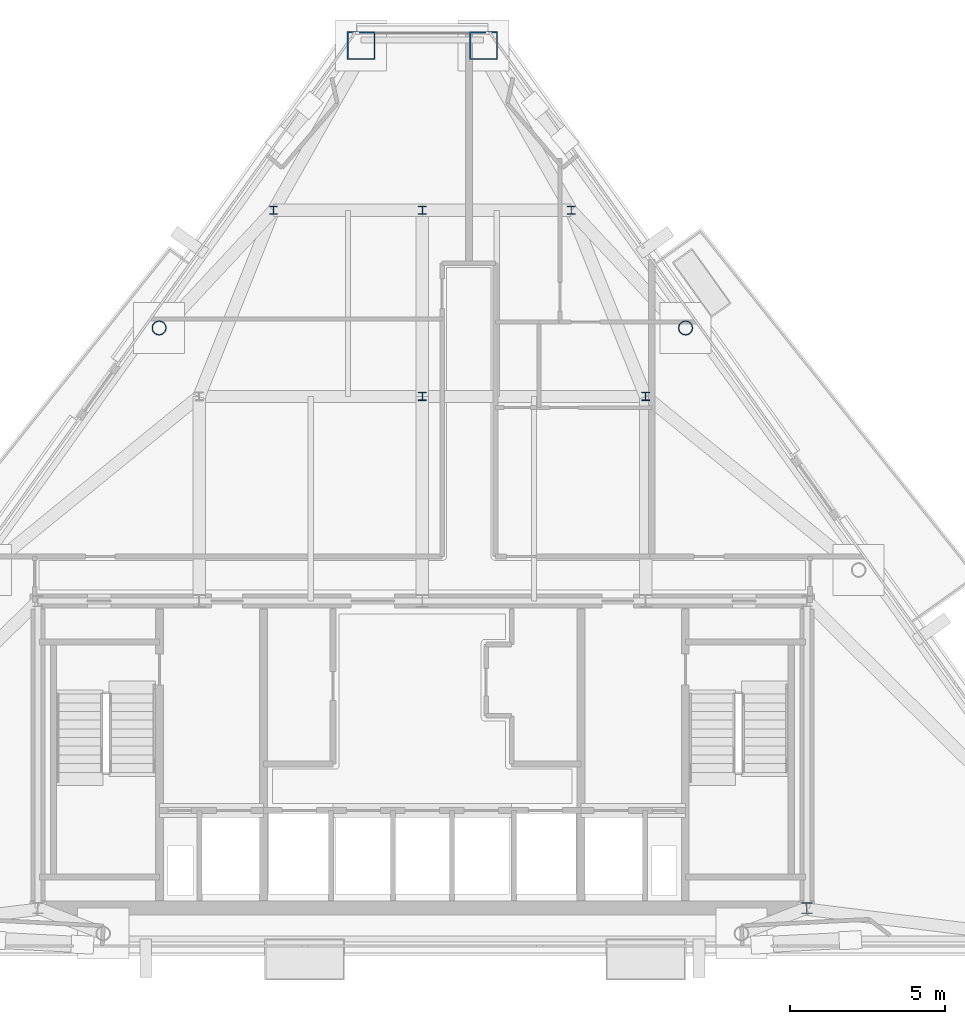
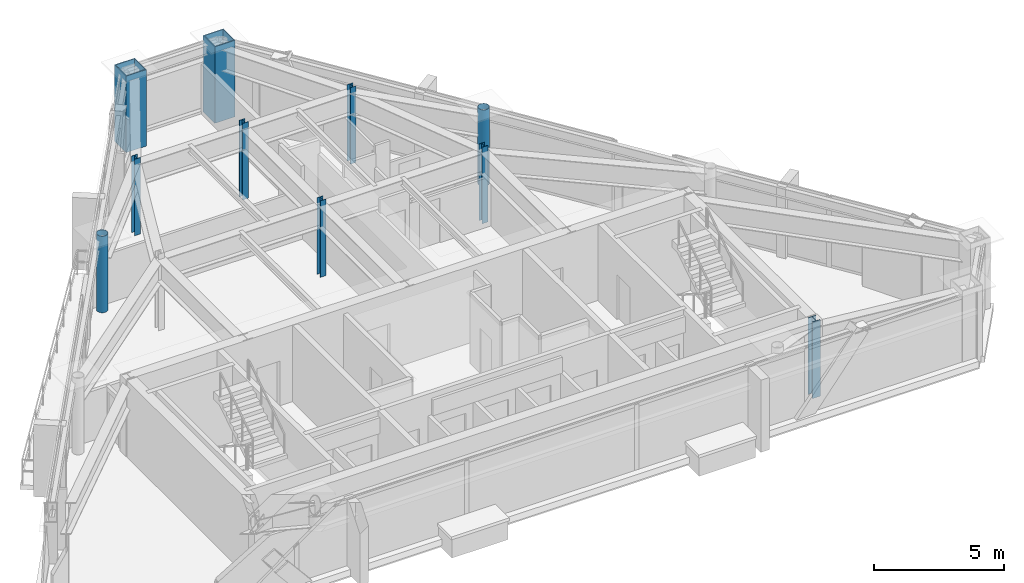
# One storey, part 2 of 11: 10 columns.
"""IFC4 building model written with IfcOpenShell, lengths in metres."""

from ifc_helpers import new_model, si_unit, direction, frame, origin, origin_2d, place, context, subcontext, project, spatial, hollow_rectangle, hollow_circle, i_section, extrude, material, material_profile, profile_set, type_object, element, save


model = new_model("IFC4")

# Units and contexts
model_context = context("Model", 3, precision=1e-05, world=origin(), true_north=direction((0.0, 1.0)))
body_context = subcontext(model_context, "Body", "Model", "MODEL_VIEW")
ifc_project = project(units=[si_unit("LENGTHUNIT", "METRE"), si_unit("AREAUNIT", "SQUARE_METRE"), si_unit("VOLUMEUNIT", "CUBIC_METRE"), si_unit("PLANEANGLEUNIT", "RADIAN"), si_unit("MASSUNIT", "GRAM", prefix="KILO")], contexts=[model_context])

# Site, building, storey
site_placement = place(None, origin())
site = spatial("IfcSite", under=ifc_project, at=site_placement, CompositionType="ELEMENT")
building_placement = place(site_placement, origin())
building = spatial("IfcBuilding", under=site, at=building_placement, Name="Talgorran Terracotta Tower", CompositionType="ELEMENT")
storey_placement = place(building_placement, frame((0.0, 0.0, 274.199951171875)))
storey = spatial("IfcBuildingStorey", under=building, at=storey_placement, Name="L72", CompositionType="ELEMENT", Elevation=274.199951171875)

# Columns
ifc_material_1 = material(Name="Steel S355 (300PLUS)", Category="steel")
ifc_material_profile_1 = material_profile(ifc_material_1, i_section(OverallWidth=0.256103515625, OverallDepth=0.260009765625, WebThickness=0.010498046875, FlangeThickness=0.017333984375, at=origin_2d()), Name="250UC89.5")
ifc_profile_set_1 = profile_set([ifc_material_profile_1], Name="Steel S355 (300PLUS)")
column_type_1 = type_object("IfcColumnType", Name="COL_250UC89", PredefinedType="COLUMN", material=ifc_profile_set_1)
for number, where, z_axis, x_axis, name in (
    (1, (0.0, 2.39990234375, 0.0), (0.0, 0.0, 1.0), (1.0, 0.0, 0.0), "L72 Interior Gravity Column IC2"),
    (2, (7.199951171875, 2.39990234375, 0.0), (0.0, 0.0, 1.0), (1.0, 0.0, 0.0), "L72 Interior Gravity Column IC3"),
    (3, (-4.800048828125, 8.39990234375, 0.0), (0.0, 0.0, 1.0), (1.0, 0.0, 0.0), "L72 Interior Gravity Column IC4"),
    (4, (0.0, 8.39990234375, 0.0), (0.0, 0.0, 1.0), (1.0, 0.0, 0.0), "L72 Interior Gravity Column IC5"),
    (5, (4.800048828125, 8.39990234375, 0.0), (0.0, 0.0, 1.0), (1.0, 0.0, 0.0), "L72 Interior Gravity Column IC6"),
):
    element("IfcColumn", number, at=place(storey_placement, frame(where, z_axis=z_axis, x_axis=x_axis)), inside=storey, type_object=column_type_1, Name=name, PredefinedType="COLUMN", context=body_context, shape_type="SweptSolid", body=[
        extrude(i_section(OverallWidth=0.256103515625, OverallDepth=0.260009765625, WebThickness=0.010498046875, FlangeThickness=0.017333984375, at=origin_2d()), origin(), (0.0, 0.0, 1.0), 3.60009765625),
    ])
ifc_material_profile_2 = material_profile(ifc_material_1, i_section(OverallWidth=0.35205078125, OverallDepth=0.35888671875, WebThickness=0.01806640625, FlangeThickness=0.02587890625, at=origin_2d()), Name="350WC197")
ifc_profile_set_2 = profile_set([ifc_material_profile_2], Name="Steel S355 (300PLUS)")
column_type_2 = type_object("IfcColumnType", Name="COL_350WC197", PredefinedType="COLUMN", material=ifc_profile_set_2)
column_placement = place(storey_placement, frame((12.39990234375, -14.10009765625, 0.0), z_axis=(0.0, 0.0, 1.0), x_axis=(1.0, 0.0, 0.0)))
element("IfcColumn", 6, at=column_placement, inside=storey, type_object=column_type_2, Name="L72 Core Boundary Column CC2", PredefinedType="COLUMN", context=body_context, shape_type="SweptSolid", body=[
    extrude(i_section(OverallWidth=0.35205078125, OverallDepth=0.35888671875, WebThickness=0.01806640625, FlangeThickness=0.02587890625, at=origin_2d()), origin(), (0.0, 0.0, 1.0), 3.60009765625),
])
ifc_material_2 = material(Name="Steel Grade 350 (350L0)", Category="steel")
ifc_material_profile_3 = material_profile(ifc_material_2, hollow_rectangle(XDim=0.89990234375, YDim=0.89990234375, WallThickness=0.0400390625, at=origin_2d()), Name="CFT900X900X40")
ifc_profile_set_3 = profile_set([ifc_material_profile_3], Name="Steel Grade 350 (350L0)")
column_type_3 = type_object("IfcColumnType", Name="COL_CFT_900", PredefinedType="COLUMN", material=ifc_profile_set_3)
for number, where, z_axis, x_axis, name in (
    (7, (1.97509765625, 13.716796875, 0.0), (0.0, 0.0, 1.0), (1.0, 0.0, 0.0), "L72 Corner CFT Mega-Column MC5"),
    (8, (-1.97509765625, 13.716796875, 0.0), (0.0, 0.0, 1.0), (1.0, 0.0, 0.0), "L72 Corner CFT Mega-Column MC6"),
):
    element("IfcColumn", number, at=place(storey_placement, frame(where, z_axis=z_axis, x_axis=x_axis)), inside=storey, type_object=column_type_3, Name=name, PredefinedType="COLUMN", context=body_context, shape_type="SweptSolid", body=[
        extrude(hollow_rectangle(XDim=0.89990234375, YDim=0.89990234375, WallThickness=0.0400390625, at=origin_2d()), origin(), (0.0, 0.0, 1.0), 3.60009765625),
    ])
ifc_material_3 = material(Name="Steel S350 (C350L0)", Category="steel")
ifc_material_profile_4 = material_profile(ifc_material_3, hollow_circle(Radius=0.228515625, WallThickness=0.01611328125, at=origin_2d()), Name="CHS457X16")
ifc_profile_set_4 = profile_set([ifc_material_profile_4], Name="Steel S350 (C350L0)")
column_type_4 = type_object("IfcColumnType", Name="COL_CHS_457", PredefinedType="COLUMN", material=ifc_profile_set_4)
for number, where, z_axis, x_axis, name in (
    (9, (8.488525390625, 4.609619140625, 0.0), (0.0, 0.0, 1.0), (1.0, 0.0, 0.0), "L72 Facet Perimeter Column FC4"),
    (10, (-8.488525390625, 4.609619140625, 0.0), (0.0, 0.0, 1.0), (1.0, 0.0, 0.0), "L72 Facet Perimeter Column FC5"),
):
    element("IfcColumn", number, at=place(storey_placement, frame(where, z_axis=z_axis, x_axis=x_axis)), inside=storey, type_object=column_type_4, Name=name, PredefinedType="COLUMN", context=body_context, shape_type="SweptSolid", body=[
        extrude(hollow_circle(Radius=0.228515625, WallThickness=0.01611328125, at=origin_2d()), origin(), (0.0, 0.0, 1.0), 3.60009765625),
    ])

save(model, "model.ifc")
